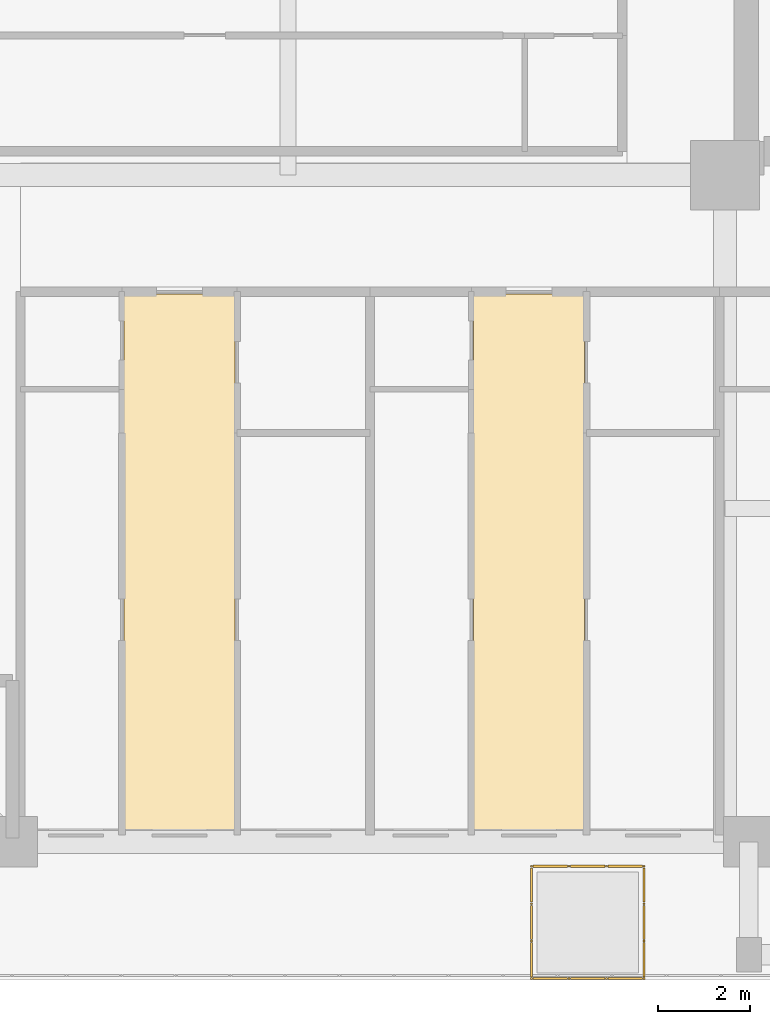
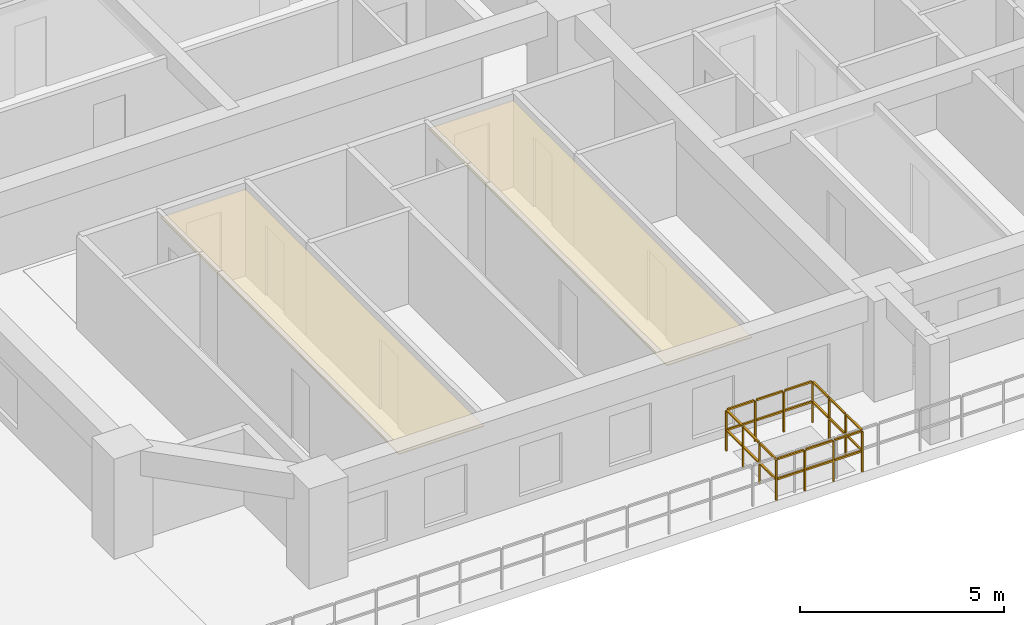
# One storey, part 12 of 19: 4 railings, 2 coverings.
"""IFC4 building model written with IfcOpenShell, lengths in metres."""

from ifc_helpers import new_model, si_unit, direction, frame, origin, origin_2d, place, context, subcontext, project, spatial, polyline, rectangle, outline, extrude, material, layer, layer_set, type_object, element, save


model = new_model("IFC4")

# Units and contexts
model_context = context("Model", 3, precision=1e-05, world=origin(), true_north=direction((0.0, 1.0)))
body_context = subcontext(model_context, "Body", "Model", "MODEL_VIEW")
ifc_project = project(units=[si_unit("LENGTHUNIT", "METRE"), si_unit("AREAUNIT", "SQUARE_METRE"), si_unit("VOLUMEUNIT", "CUBIC_METRE"), si_unit("PLANEANGLEUNIT", "RADIAN"), si_unit("MASSUNIT", "GRAM", prefix="KILO")], contexts=[model_context])

# Site, building, storey
site_placement = place(None, origin())
site = spatial("IfcSite", under=ifc_project, at=site_placement, CompositionType="ELEMENT")
building_placement = place(site_placement, origin())
building = spatial("IfcBuilding", under=site, at=building_placement, Name="Saelheon Loggia Tower", CompositionType="ELEMENT")
storey_placement = place(building_placement, frame((0.0, 0.0, 19.39990234375)))
storey = spatial("IfcBuildingStorey", under=building, at=storey_placement, Name="L05", CompositionType="ELEMENT", Elevation=19.39990234375)

# Coverings
ifc_material_1 = material(Name="Mineral-Fibre Acoustic Ceiling Board", Category="gypsum")
ifc_layer = layer(ifc_material_1, 0.02490234375)
ifc_layer_set = layer_set([ifc_layer], Name="Mineral-Fibre Acoustic Ceiling Board")
covering_type = type_object("IfcCoveringType", Name="Cov_Ceiling_Acoustic", PredefinedType="CEILING", material=ifc_layer_set)
covering_1_placement = place(storey_placement, frame((0.0, 0.0, 2.53515625)))
element("IfcCovering", 1, at=covering_1_placement, inside=storey, type_object=covering_type, Name="L05 Acoustic Suspended Ceiling", PredefinedType="CEILING", context=body_context, shape_type="SweptSolid", body=[
    extrude(outline(polyline([(17.929931640625, 3.199951171875), (20.335205078125, 3.199951171875), (20.335205078125, 14.89990234375), (17.929931640625, 14.89990234375), (17.929931640625, 3.199951171875)])), origin(), (0.0, 0.0, 1.0), 0.02490234375),
])
covering_2_placement = place(storey_placement, frame((0.0, 0.0, 2.53515625)))
element("IfcCovering", 2, at=covering_2_placement, inside=storey, type_object=covering_type, Name="L05 Acoustic Suspended Ceiling", PredefinedType="CEILING", context=body_context, shape_type="SweptSolid", body=[
    extrude(outline(polyline([(25.518798828125, 3.199951171875), (27.923828125, 3.199951171875), (27.923828125, 14.89990234375), (25.518798828125, 14.89990234375), (25.518798828125, 3.199951171875)])), origin(), (0.0, 0.0, 1.0), 0.02490234375),
])

# Railings
ifc_material_2 = material(Name="Stainless Steel 316L Post and Laminated Glass Guardrail", Category="steel")
railing_type = type_object("IfcRailingType", Name="Guard_Terrace_1250", PredefinedType="GUARDRAIL", material=ifc_material_2)
for number, where, name in (
    (3, (26.780029296875, 0.030029296875, 0.0), "L05 Skylight 3 South Safety Guardrail"),
    (4, (26.780029296875, 2.469970703125, 0.0), "L05 Skylight 3 North Safety Guardrail"),
):
    element("IfcRailing", number, at=place(storey_placement, frame(where)), inside=storey, type_object=railing_type, Name=name, PredefinedType="GUARDRAIL", context=body_context, shape_type="SweptSolid", body=[
        extrude(rectangle(XDim=0.048095703125, YDim=0.048095703125, at=origin_2d()), frame((0.033203125, 0.0, 1.22607421875), z_axis=(1.0, 0.0, 0.0), x_axis=(0.0, 1.0, 0.0)), (0.0, 0.0, 1.0), 0.746826171875),
        extrude(rectangle(XDim=0.048095703125, YDim=0.048095703125, at=origin_2d()), frame((0.033203125, 0.0, 0.625), z_axis=(1.0, 0.0, 0.0), x_axis=(0.0, 1.0, 0.0)), (0.0, 0.0, 1.0), 0.746826171875),
        extrude(rectangle(XDim=0.048095703125, YDim=0.048095703125, at=origin_2d()), frame((0.846435546875, 0.0, 1.22607421875), z_axis=(1.0, 0.0, 0.0), x_axis=(0.0, 1.0, 0.0)), (0.0, 0.0, 1.0), 0.746826171875),
        extrude(rectangle(XDim=0.048095703125, YDim=0.048095703125, at=origin_2d()), frame((0.846435546875, 0.0, 0.625), z_axis=(1.0, 0.0, 0.0), x_axis=(0.0, 1.0, 0.0)), (0.0, 0.0, 1.0), 0.746826171875),
        extrude(rectangle(XDim=0.048095703125, YDim=0.048095703125, at=origin_2d()), frame((1.659912109375, 0.0, 1.22607421875), z_axis=(1.0, 0.0, 0.0), x_axis=(0.0, 1.0, 0.0)), (0.0, 0.0, 1.0), 0.746826171875),
        extrude(rectangle(XDim=0.048095703125, YDim=0.048095703125, at=origin_2d()), frame((1.659912109375, 0.0, 0.625), z_axis=(1.0, 0.0, 0.0), x_axis=(0.0, 1.0, 0.0)), (0.0, 0.0, 1.0), 0.746826171875),
        extrude(rectangle(XDim=0.0419921875, YDim=0.0419921875, at=origin_2d()), origin(), (0.0, 0.0, 1.0), 1.197998046875),
        extrude(rectangle(XDim=0.0419921875, YDim=0.0419921875, at=origin_2d()), frame((0.813232421875, 0.0, 0.0)), (0.0, 0.0, 1.0), 1.197998046875),
        extrude(rectangle(XDim=0.0419921875, YDim=0.0419921875, at=origin_2d()), frame((1.626708984375, 0.0, 0.0)), (0.0, 0.0, 1.0), 1.197998046875),
        extrude(rectangle(XDim=0.0419921875, YDim=0.0419921875, at=origin_2d()), frame((2.43994140625, 0.0, 0.0)), (0.0, 0.0, 1.0), 1.197998046875),
    ])
railing_1_placement = place(storey_placement, frame((26.780029296875, 0.030029296875, 0.0)))
element("IfcRailing", 5, at=railing_1_placement, inside=storey, type_object=railing_type, Name="L05 Skylight 3 West Safety Guardrail", PredefinedType="GUARDRAIL", context=body_context, shape_type="SweptSolid", body=[
    extrude(rectangle(XDim=0.048095703125, YDim=0.048095703125, at=origin_2d()), frame((0.0, 0.033203125, 1.22607421875), z_axis=(0.0, 1.0, 0.0), x_axis=(-1.0, 0.0, 0.0)), (0.0, 0.0, 1.0), 0.746826171875),
    extrude(rectangle(XDim=0.048095703125, YDim=0.048095703125, at=origin_2d()), frame((0.0, 0.033203125, 0.625), z_axis=(0.0, 1.0, 0.0), x_axis=(-1.0, 0.0, 0.0)), (0.0, 0.0, 1.0), 0.746826171875),
    extrude(rectangle(XDim=0.048095703125, YDim=0.048095703125, at=origin_2d()), frame((0.0, 0.846435546875, 1.22607421875), z_axis=(0.0, 1.0, 0.0), x_axis=(-1.0, 0.0, 0.0)), (0.0, 0.0, 1.0), 0.746826171875),
    extrude(rectangle(XDim=0.048095703125, YDim=0.048095703125, at=origin_2d()), frame((0.0, 0.846435546875, 0.625), z_axis=(0.0, 1.0, 0.0), x_axis=(-1.0, 0.0, 0.0)), (0.0, 0.0, 1.0), 0.746826171875),
    extrude(rectangle(XDim=0.048095703125, YDim=0.048095703125, at=origin_2d()), frame((0.0, 1.659912109375, 1.22607421875), z_axis=(0.0, 1.0, 0.0), x_axis=(-1.0, 0.0, 0.0)), (0.0, 0.0, 1.0), 0.746826171875),
    extrude(rectangle(XDim=0.048095703125, YDim=0.048095703125, at=origin_2d()), frame((0.0, 1.659912109375, 0.625), z_axis=(0.0, 1.0, 0.0), x_axis=(-1.0, 0.0, 0.0)), (0.0, 0.0, 1.0), 0.746826171875),
    extrude(rectangle(XDim=0.0419921875, YDim=0.0419921875, at=origin_2d()), origin(), (0.0, 0.0, 1.0), 1.197998046875),
    extrude(rectangle(XDim=0.0419921875, YDim=0.0419921875, at=origin_2d()), frame((0.0, 0.813232421875, 0.0)), (0.0, 0.0, 1.0), 1.197998046875),
    extrude(rectangle(XDim=0.0419921875, YDim=0.0419921875, at=origin_2d()), frame((0.0, 1.626708984375, 0.0)), (0.0, 0.0, 1.0), 1.197998046875),
    extrude(rectangle(XDim=0.0419921875, YDim=0.0419921875, at=origin_2d()), frame((0.0, 2.43994140625, 0.0)), (0.0, 0.0, 1.0), 1.197998046875),
])
railing_2_placement = place(storey_placement, frame((29.219970703125, 0.030029296875, 0.0)))
element("IfcRailing", 6, at=railing_2_placement, inside=storey, type_object=railing_type, Name="L05 Skylight 3 East Safety Guardrail", PredefinedType="GUARDRAIL", context=body_context, shape_type="SweptSolid", body=[
    extrude(rectangle(XDim=0.048095703125, YDim=0.048095703125, at=origin_2d()), frame((0.0, 0.033203125, 1.22607421875), z_axis=(0.0, 1.0, 0.0), x_axis=(-1.0, 0.0, 0.0)), (0.0, 0.0, 1.0), 0.746826171875),
    extrude(rectangle(XDim=0.048095703125, YDim=0.048095703125, at=origin_2d()), frame((0.0, 0.033203125, 0.625), z_axis=(0.0, 1.0, 0.0), x_axis=(-1.0, 0.0, 0.0)), (0.0, 0.0, 1.0), 0.746826171875),
    extrude(rectangle(XDim=0.048095703125, YDim=0.048095703125, at=origin_2d()), frame((0.0, 0.846435546875, 1.22607421875), z_axis=(0.0, 1.0, 0.0), x_axis=(-1.0, 0.0, 0.0)), (0.0, 0.0, 1.0), 0.746826171875),
    extrude(rectangle(XDim=0.048095703125, YDim=0.048095703125, at=origin_2d()), frame((0.0, 0.846435546875, 0.625), z_axis=(0.0, 1.0, 0.0), x_axis=(-1.0, 0.0, 0.0)), (0.0, 0.0, 1.0), 0.746826171875),
    extrude(rectangle(XDim=0.048095703125, YDim=0.048095703125, at=origin_2d()), frame((0.0, 1.659912109375, 1.22607421875), z_axis=(0.0, 1.0, 0.0), x_axis=(-1.0, 0.0, 0.0)), (0.0, 0.0, 1.0), 0.746826171875),
    extrude(rectangle(XDim=0.048095703125, YDim=0.048095703125, at=origin_2d()), frame((0.0, 1.659912109375, 0.625), z_axis=(0.0, 1.0, 0.0), x_axis=(-1.0, 0.0, 0.0)), (0.0, 0.0, 1.0), 0.746826171875),
    extrude(rectangle(XDim=0.0419921875, YDim=0.0419921875, at=origin_2d()), origin(), (0.0, 0.0, 1.0), 1.197998046875),
    extrude(rectangle(XDim=0.0419921875, YDim=0.0419921875, at=origin_2d()), frame((0.0, 0.813232421875, 0.0)), (0.0, 0.0, 1.0), 1.197998046875),
    extrude(rectangle(XDim=0.0419921875, YDim=0.0419921875, at=origin_2d()), frame((0.0, 1.626708984375, 0.0)), (0.0, 0.0, 1.0), 1.197998046875),
    extrude(rectangle(XDim=0.0419921875, YDim=0.0419921875, at=origin_2d()), frame((0.0, 2.43994140625, 0.0)), (0.0, 0.0, 1.0), 1.197998046875),
])

save(model, "model.ifc")
